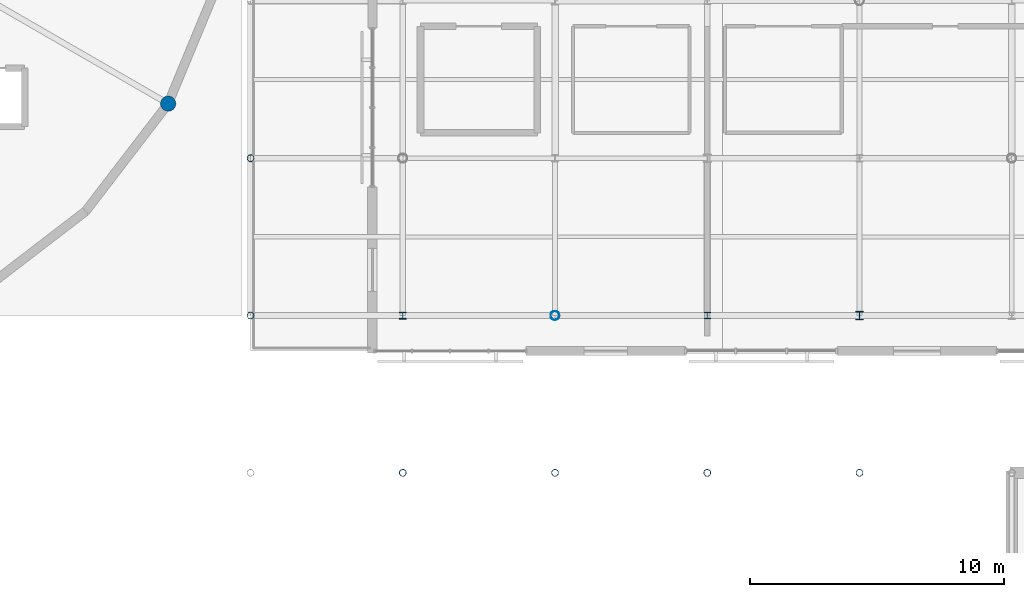
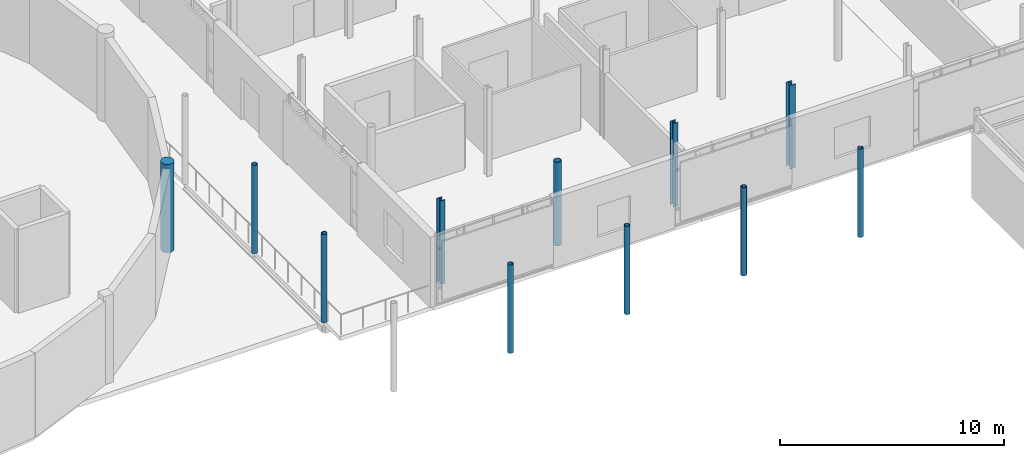
# One storey, part 4 of 84: 11 columns.
"""IFC4 building model written with IfcOpenShell, lengths in metres."""

from ifc_helpers import new_model, si_unit, direction, frame, origin, origin_2d, place, context, subcontext, project, spatial, circle, hollow_circle, i_section, extrude, material, material_profile, profile_set, type_object, element, save


model = new_model("IFC4")

# Units and contexts
model_context = context("Model", 3, precision=1e-05, world=origin(), true_north=direction((0.0, 1.0)))
body_context = subcontext(model_context, "Body", "Model", "MODEL_VIEW")
ifc_project = project(units=[si_unit("LENGTHUNIT", "METRE"), si_unit("AREAUNIT", "SQUARE_METRE"), si_unit("VOLUMEUNIT", "CUBIC_METRE"), si_unit("PLANEANGLEUNIT", "RADIAN"), si_unit("MASSUNIT", "GRAM", prefix="KILO")], contexts=[model_context])

# Site, building, storey
site_placement = place(None, origin())
site = spatial("IfcSite", under=ifc_project, at=site_placement, CompositionType="ELEMENT")
building_placement = place(site_placement, origin())
building = spatial("IfcBuilding", under=site, at=building_placement, Name="Mirzam Square Science Centre", CompositionType="ELEMENT")
storey_placement = place(building_placement, frame((0.0, 0.0, 10.800048828125)))
storey = spatial("IfcBuildingStorey", under=building, at=storey_placement, Name="L02", CompositionType="ELEMENT", Elevation=10.800048828125)

# Columns
ifc_material_1 = material(Name="Steel S355", Category="steel")
ifc_material_profile_1 = material_profile(ifc_material_1, hollow_circle(Radius=0.136474609375, WallThickness=0.010009765625, at=origin_2d()), Name="273.0x10.0CHS")
ifc_profile_set_1 = profile_set([ifc_material_profile_1], Name="Steel S355")
column_type_1 = type_object("IfcColumnType", Name="COL-CHS273", PredefinedType="COLUMN", material=ifc_profile_set_1)
for number, where, z_axis, x_axis, name in (
    (1, (102.0, 43.39990234375, 0.0), (0.0, 0.0, 1.0), (1.0, 0.0, 0.0), "L02 column G18-08"),
    (2, (102.0, 49.60009765625, 0.0), (0.0, 0.0, 1.0), (1.0, 0.0, 0.0), "L02 column G18-09"),
    (3, (108.0, 37.199951171875, 0.0), (0.0, 0.0, 1.0), (1.0, 0.0, 0.0), "L02 column G19-07"),
    (4, (114.0, 37.199951171875, 0.0), (0.0, 0.0, 1.0), (1.0, 0.0, 0.0), "L02 column G20-07"),
    (5, (120.0, 37.199951171875, 0.0), (0.0, 0.0, 1.0), (1.0, 0.0, 0.0), "L02 column G21-07"),
    (6, (126.0, 37.199951171875, 0.0), (0.0, 0.0, 1.0), (1.0, 0.0, 0.0), "L02 column G22-07"),
):
    element("IfcColumn", number, at=place(storey_placement, frame(where, z_axis=z_axis, x_axis=x_axis)), inside=storey, type_object=column_type_1, Name=name, PredefinedType="COLUMN", context=body_context, shape_type="SweptSolid", body=[
        extrude(hollow_circle(Radius=0.136474609375, WallThickness=0.010009765625, at=origin_2d()), origin(), (0.0, 0.0, 1.0), 4.800048828125),
    ])
ifc_material_profile_2 = material_profile(ifc_material_1, hollow_circle(Radius=0.177734375, WallThickness=0.012451171875, at=origin_2d()), Name="355.6x12.5CHS")
ifc_profile_set_2 = profile_set([ifc_material_profile_2], Name="Steel S355")
column_type_2 = type_object("IfcColumnType", Name="COL-CHS355", PredefinedType="COLUMN", material=ifc_profile_set_2)
column_1_placement = place(storey_placement, frame((114.0, 43.39990234375, 0.0), z_axis=(0.0, 0.0, 1.0), x_axis=(1.0, 0.0, 0.0)))
element("IfcColumn", 7, at=column_1_placement, inside=storey, type_object=column_type_2, Name="L02 column G20-08", PredefinedType="COLUMN", context=body_context, shape_type="SweptSolid", body=[
    extrude(hollow_circle(Radius=0.177734375, WallThickness=0.012451171875, at=origin_2d()), origin(), (0.0, 0.0, 1.0), 4.550048828125),
])
ifc_material_profile_3 = material_profile(ifc_material_1, i_section(OverallWidth=0.25634765625, OverallDepth=0.26025390625, WebThickness=0.01025390625, FlangeThickness=0.017333984375, FilletRadius=0.0126953125, at=origin_2d()), Name="254x254x89UC")
ifc_profile_set_3 = profile_set([ifc_material_profile_3], Name="Steel S355")
column_type_3 = type_object("IfcColumnType", Name="COL-UC254A", PredefinedType="COLUMN", material=ifc_profile_set_3)
column_2_placement = place(storey_placement, frame((120.0, 43.39990234375, 0.0), z_axis=(0.0, 0.0, 1.0), x_axis=(1.0, 0.0, 0.0)))
element("IfcColumn", 8, at=column_2_placement, inside=storey, type_object=column_type_3, Name="L02 column G21-08", PredefinedType="COLUMN", context=body_context, shape_type="SweptSolid", body=[
    extrude(i_section(OverallWidth=0.25634765625, OverallDepth=0.26025390625, WebThickness=0.01025390625, FlangeThickness=0.017333984375, FilletRadius=0.0126953125, at=origin_2d()), origin(), (0.0, 0.0, 1.0), 4.550048828125),
])
ifc_material_profile_4 = material_profile(ifc_material_1, i_section(OverallWidth=0.26123046875, OverallDepth=0.2763671875, WebThickness=0.015380859375, FlangeThickness=0.025390625, FilletRadius=0.0126953125, at=origin_2d()), Name="254x254x132UC")
ifc_profile_set_4 = profile_set([ifc_material_profile_4], Name="Steel S355")
column_type_4 = type_object("IfcColumnType", Name="COL-UC254B", PredefinedType="COLUMN", material=ifc_profile_set_4)
column_3_placement = place(storey_placement, frame((108.0, 43.39990234375, 0.0), z_axis=(0.0, 0.0, 1.0), x_axis=(1.0, 0.0, 0.0)))
element("IfcColumn", 9, at=column_3_placement, inside=storey, type_object=column_type_4, Name="L02 column G19-08", PredefinedType="COLUMN", context=body_context, shape_type="SweptSolid", body=[
    extrude(i_section(OverallWidth=0.26123046875, OverallDepth=0.2763671875, WebThickness=0.015380859375, FlangeThickness=0.025390625, FilletRadius=0.0126953125, at=origin_2d()), origin(), (0.0, 0.0, 1.0), 4.550048828125),
])
ifc_material_profile_5 = material_profile(ifc_material_1, i_section(OverallWidth=0.30908203125, OverallDepth=0.320556640625, WebThickness=0.013916015625, FlangeThickness=0.021728515625, FilletRadius=0.01513671875, at=origin_2d()), Name="305x305x137UC")
ifc_profile_set_5 = profile_set([ifc_material_profile_5], Name="Steel S355")
column_type_5 = type_object("IfcColumnType", Name="COL-UC305A", PredefinedType="COLUMN", material=ifc_profile_set_5)
column_4_placement = place(storey_placement, frame((126.0, 43.39990234375, 0.0), z_axis=(0.0, 0.0, 1.0), x_axis=(1.0, 0.0, 0.0)))
element("IfcColumn", 10, at=column_4_placement, inside=storey, type_object=column_type_5, Name="L02 column G22-08", PredefinedType="COLUMN", context=body_context, shape_type="SweptSolid", body=[
    extrude(i_section(OverallWidth=0.30908203125, OverallDepth=0.320556640625, WebThickness=0.013916015625, FlangeThickness=0.021728515625, FilletRadius=0.01513671875, at=origin_2d()), origin(), (0.0, 0.0, 1.0), 4.550048828125),
])
ifc_material_2 = material(Name="Concrete C45/55", Category="concrete")
ifc_material_profile_6 = material_profile(ifc_material_2, circle(Radius=0.300048828125, at=origin_2d()), Name="RCD600")
ifc_profile_set_6 = profile_set([ifc_material_profile_6], Name="Concrete C45/55")
column_type_6 = type_object("IfcColumnType", Name="PIL-RCD600", PredefinedType="PILASTER", material=ifc_profile_set_6)
column_5_placement = place(storey_placement, frame((98.75341796875, 51.75, 0.0), z_axis=(0.0, 0.0, 1.0), x_axis=(1.0, 0.0, 0.0)))
element("IfcColumn", 11, at=column_5_placement, inside=storey, type_object=column_type_6, Name="L02 drum pilaster 23", PredefinedType="PILASTER", context=body_context, shape_type="SweptSolid", body=[
    extrude(circle(Radius=0.300048828125, at=origin_2d()), origin(), (0.0, 0.0, 1.0), 4.800048828125),
])

save(model, "model.ifc")
